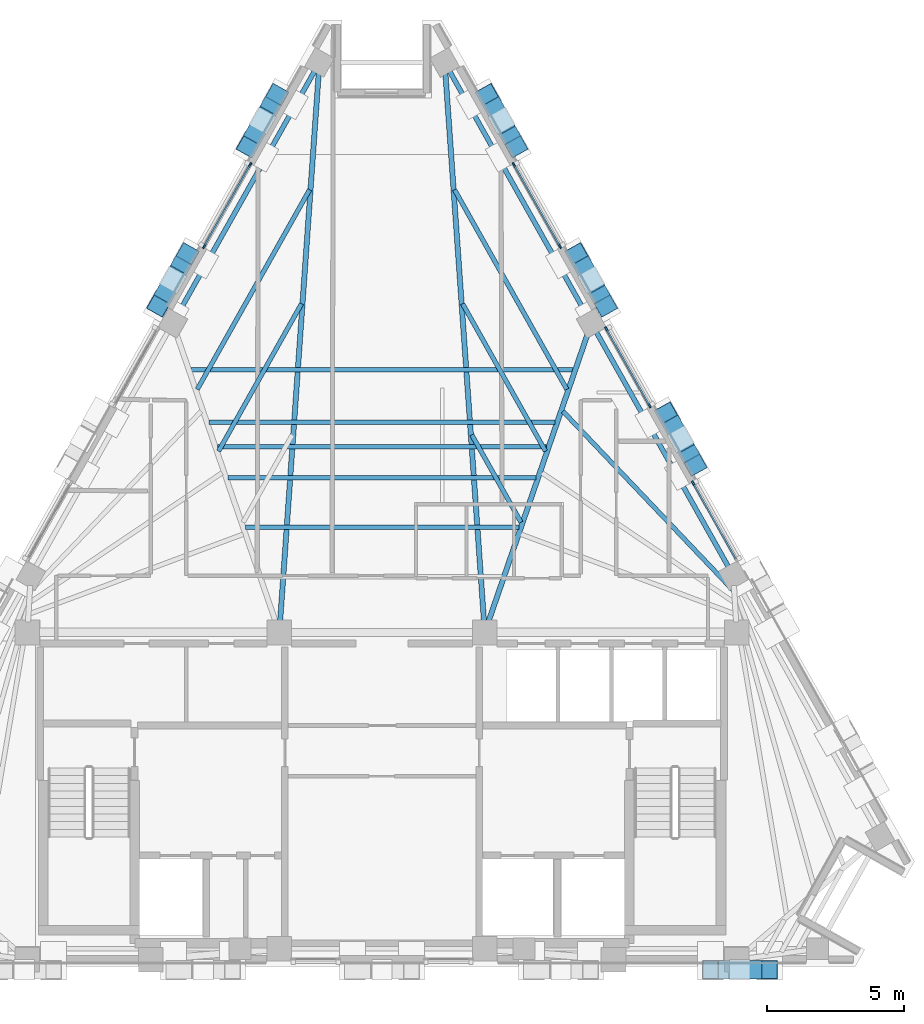
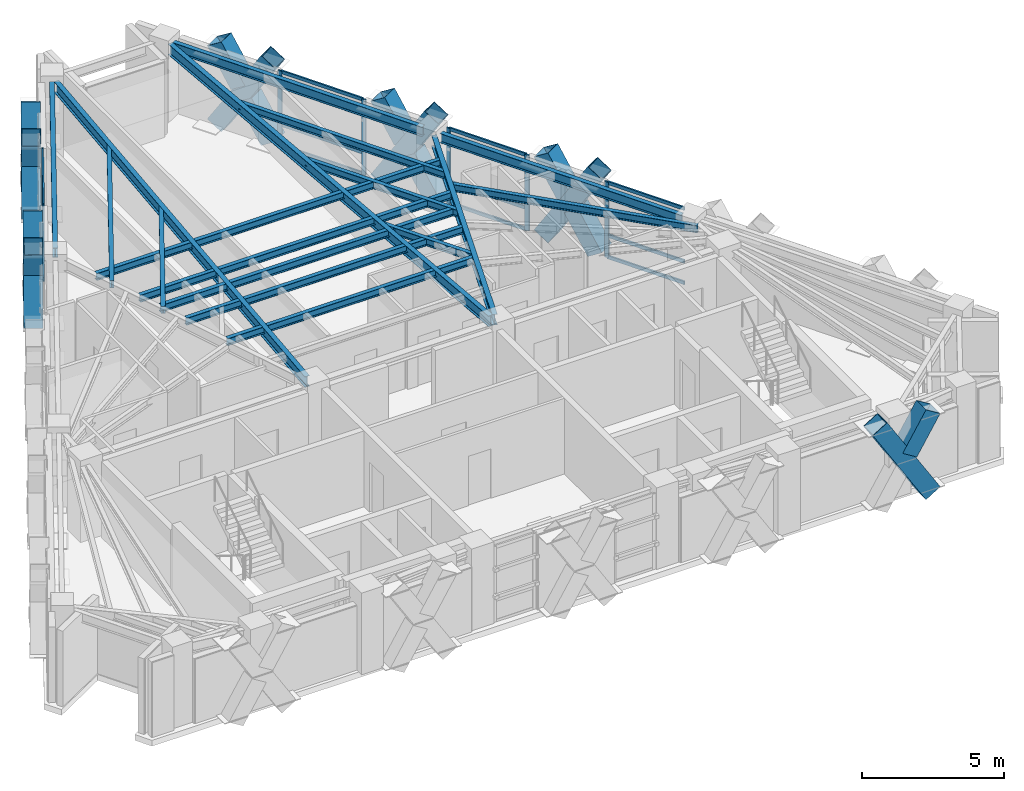
# One storey, part 4 of 10: 36 members, 17 beams, 4 elements without a shape of their own.
"""IFC4 building model written with IfcOpenShell, lengths in metres."""

from ifc_helpers import new_model, si_unit, direction, frame, origin, origin_2d, place, context, subcontext, project, spatial, rectangle, hollow_rectangle, i_section, extrude, material, material_profile, profile_set, type_object, element, aggregate, save


model = new_model("IFC4")

# Units and contexts
model_context = context("Model", 3, precision=1e-05, world=origin(), true_north=direction((0.0, 1.0)))
body_context = subcontext(model_context, "Body", "Model", "MODEL_VIEW")
ifc_project = project(units=[si_unit("LENGTHUNIT", "METRE"), si_unit("AREAUNIT", "SQUARE_METRE"), si_unit("VOLUMEUNIT", "CUBIC_METRE"), si_unit("PLANEANGLEUNIT", "RADIAN"), si_unit("MASSUNIT", "GRAM", prefix="KILO")], contexts=[model_context])

# Site, building, storey
site_placement = place(None, origin())
site = spatial("IfcSite", under=ifc_project, at=site_placement, CompositionType="ELEMENT")
building_placement = place(site_placement, origin())
building = spatial("IfcBuilding", under=site, at=building_placement, Name="Quenlor Broadcast Tower", CompositionType="ELEMENT")
storey_placement = place(building_placement, frame((0.0, 0.0, 232.39990234375)))
storey = spatial("IfcBuildingStorey", under=building, at=storey_placement, Name="L64", CompositionType="ELEMENT", Elevation=232.39990234375)

# Curtain wall, members
ifc_material_1 = material(Name="Architectural Terracotta and Low-E Glazing", Category="masonry")
curtain_wall_type = type_object("IfcCurtainWallType", Name="Unitised Terracotta Curtain Wall System Z5", PredefinedType="NOTDEFINED", material=ifc_material_1)
curtain_wall_1_placement = place(storey_placement, origin())
curtain_wall_1 = element("IfcCurtainWall", 1, at=curtain_wall_1_placement, inside=storey, type_object=curtain_wall_type, Name="L64 Curtain Wall CW5 (L64-NEA-G1)", PredefinedType="NOTDEFINED")
ifc_material_2 = material(Name="Aluminium 6063-T6", Category="aluminium")
ifc_material_profile_1 = material_profile(ifc_material_2, rectangle(XDim=0.06494140625, YDim=0.169921875, at=origin_2d()))
ifc_profile_set_1 = profile_set([ifc_material_profile_1], Name="Aluminium 6063-T6 MULL65x170")
member_type_1 = type_object("IfcMemberType", Name="CW5 Aluminium Mullion MULL_CW5", PredefinedType="MULLION", material=ifc_profile_set_1)
member_1_placement = place(storey_placement, frame((4.81787109375, 12.274169921875, 0.0), z_axis=(0.0, 0.0, 1.0), x_axis=(0.871581670563, 0.490250335582, 0.0)))
member_1 = element("IfcMember", 2, at=member_1_placement, type_object=member_type_1, Name="CW5 mullion 1", PredefinedType="MULLION", context=body_context, shape_type="SweptSolid", body=[
    extrude(rectangle(XDim=0.06494140625, YDim=0.169921875, at=origin_2d()), origin(), (0.0, 0.0, 1.0), 3.25),
])
member_2_placement = place(storey_placement, frame((6.49365234375, 9.294677734375, 0.0), z_axis=(0.0, 0.0, 1.0), x_axis=(0.871581670563, 0.490250335582, 0.0)))
member_2 = element("IfcMember", 3, at=member_2_placement, type_object=member_type_1, Name="CW5 mullion 2", PredefinedType="MULLION", context=body_context, shape_type="SweptSolid", body=[
    extrude(rectangle(XDim=0.06494140625, YDim=0.169921875, at=origin_2d()), origin(), (0.0, 0.0, 1.0), 3.25),
])

curtain_wall_2_placement = place(storey_placement, origin())
curtain_wall_2 = element("IfcCurtainWall", 4, at=curtain_wall_2_placement, inside=storey, type_object=curtain_wall_type, Name="L64 Curtain Wall CW5 (L64-NE-G1)", PredefinedType="NOTDEFINED")
member_3_placement = place(storey_placement, frame((8.190185546875, 6.27880859375, 0.0), z_axis=(0.0, 0.0, 1.0), x_axis=(0.871574721405, 0.490262689797, 0.0)))
member_3 = element("IfcMember", 5, at=member_3_placement, type_object=member_type_1, Name="CW5 mullion 1", PredefinedType="MULLION", context=body_context, shape_type="SweptSolid", body=[
    extrude(rectangle(XDim=0.06494140625, YDim=0.169921875, at=origin_2d()), origin(), (0.0, 0.0, 1.0), 3.25),
])
member_4_placement = place(storey_placement, frame((9.763427734375, 3.48193359375, 0.0), z_axis=(0.0, 0.0, 1.0), x_axis=(0.871574721405, 0.490262689797, 0.0)))
member_4 = element("IfcMember", 6, at=member_4_placement, type_object=member_type_1, Name="CW5 mullion 2", PredefinedType="MULLION", context=body_context, shape_type="SweptSolid", body=[
    extrude(rectangle(XDim=0.06494140625, YDim=0.169921875, at=origin_2d()), origin(), (0.0, 0.0, 1.0), 3.25),
])

# Curtain wall, member
curtain_wall_3_placement = place(storey_placement, origin())
curtain_wall_3 = element("IfcCurtainWall", 7, at=curtain_wall_3_placement, inside=storey, type_object=curtain_wall_type, Name="L64 Curtain Wall CW5 (L64-NE-G2)", PredefinedType="NOTDEFINED")
member_5_placement = place(storey_placement, frame((11.357177734375, 0.6484375, 0.0), z_axis=(0.0, 0.0, 1.0), x_axis=(0.871574721405, 0.490262689797, 0.0)))
member_5 = element("IfcMember", 8, at=member_5_placement, type_object=member_type_1, Name="CW5 mullion 1", PredefinedType="MULLION", context=body_context, shape_type="SweptSolid", body=[
    extrude(rectangle(XDim=0.06494140625, YDim=0.169921875, at=origin_2d()), origin(), (0.0, 0.0, 1.0), 3.25),
])

# Curtain wall, members
curtain_wall_4_placement = place(storey_placement, origin())
curtain_wall_4 = element("IfcCurtainWall", 9, at=curtain_wall_4_placement, inside=storey, type_object=curtain_wall_type, Name="L64 Curtain Wall CW5 (L64-NWC-G1)", PredefinedType="NOTDEFINED")
member_6_placement = place(storey_placement, frame((-6.49365234375, 9.294677734375, 0.0), z_axis=(0.0, 0.0, 1.0), x_axis=(-0.871581670563, 0.490250335582, 0.0)))
member_6 = element("IfcMember", 10, at=member_6_placement, type_object=member_type_1, Name="CW5 mullion 1", PredefinedType="MULLION", context=body_context, shape_type="SweptSolid", body=[
    extrude(rectangle(XDim=0.06494140625, YDim=0.169921875, at=origin_2d()), origin(), (0.0, 0.0, 1.0), 3.25),
])
member_7_placement = place(storey_placement, frame((-4.81787109375, 12.274169921875, 0.0), z_axis=(0.0, 0.0, 1.0), x_axis=(-0.871581670563, 0.490250335582, 0.0)))
member_7 = element("IfcMember", 11, at=member_7_placement, type_object=member_type_1, Name="CW5 mullion 2", PredefinedType="MULLION", context=body_context, shape_type="SweptSolid", body=[
    extrude(rectangle(XDim=0.06494140625, YDim=0.169921875, at=origin_2d()), origin(), (0.0, 0.0, 1.0), 3.25),
])

# Member
ifc_material_3 = material(Name="Aluminium 6063-T6", Category="aluminium")
ifc_material_profile_2 = material_profile(ifc_material_3, rectangle(XDim=0.06494140625, YDim=0.139892578125, at=origin_2d()))
ifc_profile_set_2 = profile_set([ifc_material_profile_2], Name="Aluminium 6063-T6 TRAN65x140")
member_type_2 = type_object("IfcMemberType", Name="CW5 Aluminium Transom TRAN_CW5", PredefinedType="USERDEFINED", material=ifc_profile_set_2)
member_8_placement = place(storey_placement, frame((4.833740234375, 12.245849609375, 0.03271484375), z_axis=(0.490247413707, -0.871583314063, 0.0), x_axis=(0.871583314063, 0.490247413707, 0.0)))
member_8 = element("IfcMember", 12, at=member_8_placement, type_object=member_type_2, Name="CW5 transom 1.1", ObjectType="TRANSOM", PredefinedType="USERDEFINED", context=body_context, shape_type="SweptSolid", body=[
    extrude(rectangle(XDim=0.06494140625, YDim=0.139892578125, at=origin_2d()), origin(), (0.0, 0.0, 1.0), 3.353515625),
])

member_9_placement = place(storey_placement, frame((4.833740234375, 12.245849609375, 0.9501953125), z_axis=(0.490247413707, -0.871583314063, 0.0), x_axis=(0.871583314063, 0.490247413707, 0.0)))
member_9 = element("IfcMember", 13, at=member_9_placement, type_object=member_type_2, Name="CW5 transom 1.2", ObjectType="TRANSOM", PredefinedType="USERDEFINED", context=body_context, shape_type="SweptSolid", body=[
    extrude(rectangle(XDim=0.06494140625, YDim=0.139892578125, at=origin_2d()), origin(), (0.0, 0.0, 1.0), 3.353515625),
])

member_10_placement = place(storey_placement, frame((4.833740234375, 12.245849609375, 3.217529296875), z_axis=(0.490247413707, -0.871583314063, 0.0), x_axis=(0.871583314063, 0.490247413707, 0.0)))
member_10 = element("IfcMember", 14, at=member_10_placement, type_object=member_type_2, Name="CW5 transom 1.3", ObjectType="TRANSOM", PredefinedType="USERDEFINED", context=body_context, shape_type="SweptSolid", body=[
    extrude(rectangle(XDim=0.06494140625, YDim=0.139892578125, at=origin_2d()), origin(), (0.0, 0.0, 1.0), 3.353515625),
])

aggregate(curtain_wall_1, [member_1, member_2, member_8, member_9, member_10])

member_11_placement = place(storey_placement, frame((8.2060546875, 6.25048828125, 0.03271484375), z_axis=(0.490231744535, -0.87159212746, 0.0), x_axis=(0.87159212746, 0.490231744535, 0.0)))
member_11 = element("IfcMember", 15, at=member_11_placement, type_object=member_type_2, Name="CW5 transom 1.1", ObjectType="TRANSOM", PredefinedType="USERDEFINED", context=body_context, shape_type="SweptSolid", body=[
    extrude(rectangle(XDim=0.06494140625, YDim=0.139892578125, at=origin_2d()), origin(), (0.0, 0.0, 1.0), 3.14404296875),
])

member_12_placement = place(storey_placement, frame((8.2060546875, 6.25048828125, 0.9501953125), z_axis=(0.490231744535, -0.87159212746, 0.0), x_axis=(0.87159212746, 0.490231744535, 0.0)))
member_12 = element("IfcMember", 16, at=member_12_placement, type_object=member_type_2, Name="CW5 transom 1.2", ObjectType="TRANSOM", PredefinedType="USERDEFINED", context=body_context, shape_type="SweptSolid", body=[
    extrude(rectangle(XDim=0.06494140625, YDim=0.139892578125, at=origin_2d()), origin(), (0.0, 0.0, 1.0), 3.14404296875),
])

member_13_placement = place(storey_placement, frame((8.2060546875, 6.25048828125, 3.217529296875), z_axis=(0.490231744535, -0.87159212746, 0.0), x_axis=(0.87159212746, 0.490231744535, 0.0)))
member_13 = element("IfcMember", 17, at=member_13_placement, type_object=member_type_2, Name="CW5 transom 1.3", ObjectType="TRANSOM", PredefinedType="USERDEFINED", context=body_context, shape_type="SweptSolid", body=[
    extrude(rectangle(XDim=0.06494140625, YDim=0.139892578125, at=origin_2d()), origin(), (0.0, 0.0, 1.0), 3.14404296875),
])

aggregate(curtain_wall_2, [member_3, member_4, member_11, member_12, member_13])

member_14_placement = place(storey_placement, frame((11.373046875, 0.6201171875, 0.03271484375), z_axis=(0.490290733046, -0.871558946422, 0.0), x_axis=(0.871558946422, 0.490290733046, 0.0)))
member_14 = element("IfcMember", 18, at=member_14_placement, type_object=member_type_2, Name="CW5 transom 1.1", ObjectType="TRANSOM", PredefinedType="USERDEFINED", context=body_context, shape_type="SweptSolid", body=[
    extrude(rectangle(XDim=0.06494140625, YDim=0.139892578125, at=origin_2d()), origin(), (0.0, 0.0, 1.0), 3.14404296875),
])

member_15_placement = place(storey_placement, frame((11.373046875, 0.6201171875, 0.9501953125), z_axis=(0.490290733046, -0.871558946422, 0.0), x_axis=(0.871558946422, 0.490290733046, 0.0)))
member_15 = element("IfcMember", 19, at=member_15_placement, type_object=member_type_2, Name="CW5 transom 1.2", ObjectType="TRANSOM", PredefinedType="USERDEFINED", context=body_context, shape_type="SweptSolid", body=[
    extrude(rectangle(XDim=0.06494140625, YDim=0.139892578125, at=origin_2d()), origin(), (0.0, 0.0, 1.0), 3.14404296875),
])

member_16_placement = place(storey_placement, frame((11.373046875, 0.6201171875, 3.217529296875), z_axis=(0.490290733046, -0.871558946422, 0.0), x_axis=(0.871558946422, 0.490290733046, 0.0)))
member_16 = element("IfcMember", 20, at=member_16_placement, type_object=member_type_2, Name="CW5 transom 1.3", ObjectType="TRANSOM", PredefinedType="USERDEFINED", context=body_context, shape_type="SweptSolid", body=[
    extrude(rectangle(XDim=0.06494140625, YDim=0.139892578125, at=origin_2d()), origin(), (0.0, 0.0, 1.0), 3.14404296875),
])

aggregate(curtain_wall_3, [member_5, member_14, member_15, member_16])

member_17_placement = place(storey_placement, frame((-6.477783203125, 9.322998046875, 0.03271484375), z_axis=(0.490247413707, 0.871583314063, 0.0), x_axis=(-0.871583314063, 0.490247413707, 0.0)))
member_17 = element("IfcMember", 21, at=member_17_placement, type_object=member_type_2, Name="CW5 transom 1.1", ObjectType="TRANSOM", PredefinedType="USERDEFINED", context=body_context, shape_type="SweptSolid", body=[
    extrude(rectangle(XDim=0.06494140625, YDim=0.139892578125, at=origin_2d()), origin(), (0.0, 0.0, 1.0), 3.353515625),
])

member_18_placement = place(storey_placement, frame((-6.477783203125, 9.322998046875, 0.9501953125), z_axis=(0.490247413707, 0.871583314063, 0.0), x_axis=(-0.871583314063, 0.490247413707, 0.0)))
member_18 = element("IfcMember", 22, at=member_18_placement, type_object=member_type_2, Name="CW5 transom 1.2", ObjectType="TRANSOM", PredefinedType="USERDEFINED", context=body_context, shape_type="SweptSolid", body=[
    extrude(rectangle(XDim=0.06494140625, YDim=0.139892578125, at=origin_2d()), origin(), (0.0, 0.0, 1.0), 3.353515625),
])

member_19_placement = place(storey_placement, frame((-6.477783203125, 9.322998046875, 3.217529296875), z_axis=(0.490247413707, 0.871583314063, 0.0), x_axis=(-0.871583314063, 0.490247413707, 0.0)))
member_19 = element("IfcMember", 23, at=member_19_placement, type_object=member_type_2, Name="CW5 transom 1.3", ObjectType="TRANSOM", PredefinedType="USERDEFINED", context=body_context, shape_type="SweptSolid", body=[
    extrude(rectangle(XDim=0.06494140625, YDim=0.139892578125, at=origin_2d()), origin(), (0.0, 0.0, 1.0), 3.353515625),
])

aggregate(curtain_wall_4, [member_6, member_7, member_17, member_18, member_19])

# Members
ifc_material_4 = material(Name="Steel S355", Category="steel")
ifc_material_profile_3 = material_profile(ifc_material_4, hollow_rectangle(XDim=0.679931640625, YDim=0.679931640625, WallThickness=0.02001953125, at=origin_2d()))
ifc_profile_set_3 = profile_set([ifc_material_profile_3], Name="Steel S355 RHS680x680x20")
member_type_3 = type_object("IfcMemberType", Name="Perimeter Diagonal Lattice Brace Z5-Crown Steel S355 RHS680x20", PredefinedType="BRACE", material=ifc_profile_set_3)
member_20_placement = place(storey_placement, frame((14.1396484375, -17.1201171875, -0.119873046875), z_axis=(-0.5236596973, 0.0, 0.851927532965), x_axis=(0.0, -1.0, 0.0)))
element("IfcMember", 24, at=member_20_placement, inside=storey, type_object=member_type_3, Name="L64 Perimeter Diamond Lattice S-C1XA", PredefinedType="BRACE", context=body_context, shape_type="SweptSolid", body=[
    extrude(hollow_rectangle(XDim=0.679931640625, YDim=0.679931640625, WallThickness=0.02001953125, at=origin_2d()), origin(), (0.0, 0.0, 1.0), 4.1083984375),
])
member_21_placement = place(storey_placement, frame((13.19482421875, -17.1201171875, 1.843017578125), z_axis=(0.523659478087, 0.0, 0.85192766771), x_axis=(0.0, 1.0, 0.0)))
element("IfcMember", 25, at=member_21_placement, inside=storey, type_object=member_type_3, Name="L64 Perimeter Diamond Lattice S-C1XB2", PredefinedType="BRACE", context=body_context, shape_type="SweptSolid", body=[
    extrude(hollow_rectangle(XDim=0.679931640625, YDim=0.679931640625, WallThickness=0.02001953125, at=origin_2d()), origin(), (0.0, 0.0, 1.0), 1.80419921875),
])
member_22_placement = place(storey_placement, frame((3.826904296875, 14.841552734375, -0.119873046875), z_axis=(0.260563732169, -0.463283497491, 0.847038926161), x_axis=(0.871602253711, 0.49021374045, 0.0)))
element("IfcMember", 26, at=member_22_placement, inside=storey, type_object=member_type_3, Name="L64 Perimeter Diamond Lattice NE-C1XA", PredefinedType="BRACE", context=body_context, shape_type="SweptSolid", body=[
    extrude(hollow_rectangle(XDim=0.679931640625, YDim=0.679931640625, WallThickness=0.02001953125, at=origin_2d()), origin(), (0.0, 0.0, 1.0), 4.132080078125),
])
member_23_placement = place(storey_placement, frame((4.903564453125, 12.92724609375, -0.119873046875), z_axis=(-0.260561174869, 0.463309498762, 0.847025491062), x_axis=(-0.871616063886, -0.490189185087, 0.0)))
element("IfcMember", 27, at=member_23_placement, inside=storey, type_object=member_type_3, Name="L64 Perimeter Diamond Lattice NE-C1XB1", PredefinedType="BRACE", context=body_context, shape_type="SweptSolid", body=[
    extrude(hollow_rectangle(XDim=0.679931640625, YDim=0.679931640625, WallThickness=0.02001953125, at=origin_2d()), origin(), (0.0, 0.0, 1.0), 1.81591796875),
])
member_24_placement = place(storey_placement, frame((4.300048828125, 14.000244140625, 1.841796875), z_axis=(-0.260531504538, 0.463256741299, 0.847063472701), x_axis=(-0.871616063886, -0.490189185087, 0.0)))
element("IfcMember", 28, at=member_24_placement, inside=storey, type_object=member_type_3, Name="L64 Perimeter Diamond Lattice NE-C1XB2", PredefinedType="BRACE", context=body_context, shape_type="SweptSolid", body=[
    extrude(hollow_rectangle(XDim=0.679931640625, YDim=0.679931640625, WallThickness=0.02001953125, at=origin_2d()), origin(), (0.0, 0.0, 1.0), 1.816162109375),
])
member_25_placement = place(storey_placement, frame((7.096435546875, 9.02880859375, -0.119873046875), z_axis=(0.260618804175, -0.463276364439, 0.847025884529), x_axis=(0.8715547569, 0.490298180422, 0.0)))
element("IfcMember", 29, at=member_25_placement, inside=storey, type_object=member_type_3, Name="L64 Perimeter Diamond Lattice NE-C2XA", PredefinedType="BRACE", context=body_context, shape_type="SweptSolid", body=[
    extrude(hollow_rectangle(XDim=0.679931640625, YDim=0.679931640625, WallThickness=0.02001953125, at=origin_2d()), origin(), (0.0, 0.0, 1.0), 4.132080078125),
])
member_26_placement = place(storey_placement, frame((8.17333984375, 7.114501953125, -0.119873046875), z_axis=(-0.26068648878, 0.463293264743, 0.846995811921), x_axis=(-0.871507987664, -0.490381308207, 0.0)))
element("IfcMember", 30, at=member_26_placement, inside=storey, type_object=member_type_3, Name="L64 Perimeter Diamond Lattice NE-C2XB1", PredefinedType="BRACE", context=body_context, shape_type="SweptSolid", body=[
    extrude(hollow_rectangle(XDim=0.679931640625, YDim=0.679931640625, WallThickness=0.02001953125, at=origin_2d()), origin(), (0.0, 0.0, 1.0), 1.81591796875),
])
member_27_placement = place(storey_placement, frame((7.56982421875, 8.1875, 1.841796875), z_axis=(-0.260656806259, 0.463240512825, 0.847033798988), x_axis=(-0.871507987664, -0.490381308207, 0.0)))
element("IfcMember", 31, at=member_27_placement, inside=storey, type_object=member_type_3, Name="L64 Perimeter Diamond Lattice NE-C2XB2", PredefinedType="BRACE", context=body_context, shape_type="SweptSolid", body=[
    extrude(hollow_rectangle(XDim=0.679931640625, YDim=0.679931640625, WallThickness=0.02001953125, at=origin_2d()), origin(), (0.0, 0.0, 1.0), 1.816162109375),
])
member_28_placement = place(storey_placement, frame((10.3662109375, 3.216064453125, -0.119873046875), z_axis=(0.260618804175, -0.463276364439, 0.847025884529), x_axis=(0.8715547569, 0.490298180422, 0.0)))
element("IfcMember", 32, at=member_28_placement, inside=storey, type_object=member_type_3, Name="L64 Perimeter Diamond Lattice NE-C3XA", PredefinedType="BRACE", context=body_context, shape_type="SweptSolid", body=[
    extrude(hollow_rectangle(XDim=0.679931640625, YDim=0.679931640625, WallThickness=0.02001953125, at=origin_2d()), origin(), (0.0, 0.0, 1.0), 4.132080078125),
])
member_29_placement = place(storey_placement, frame((11.443115234375, 1.3017578125, -0.119873046875), z_axis=(-0.26068648878, 0.463293264743, 0.846995811921), x_axis=(-0.871507987664, -0.490381308207, 0.0)))
element("IfcMember", 33, at=member_29_placement, inside=storey, type_object=member_type_3, Name="L64 Perimeter Diamond Lattice NE-C3XB1", PredefinedType="BRACE", context=body_context, shape_type="SweptSolid", body=[
    extrude(hollow_rectangle(XDim=0.679931640625, YDim=0.679931640625, WallThickness=0.02001953125, at=origin_2d()), origin(), (0.0, 0.0, 1.0), 1.81591796875),
])
member_30_placement = place(storey_placement, frame((10.839599609375, 2.374755859375, 1.841796875), z_axis=(-0.260656806259, 0.463240512825, 0.847033798988), x_axis=(-0.871507987664, -0.490381308207, 0.0)))
element("IfcMember", 34, at=member_30_placement, inside=storey, type_object=member_type_3, Name="L64 Perimeter Diamond Lattice NE-C3XB2", PredefinedType="BRACE", context=body_context, shape_type="SweptSolid", body=[
    extrude(hollow_rectangle(XDim=0.679931640625, YDim=0.679931640625, WallThickness=0.02001953125, at=origin_2d()), origin(), (0.0, 0.0, 1.0), 1.816162109375),
])
member_31_placement = place(storey_placement, frame((-8.17333984375, 7.114501953125, -0.119873046875), z_axis=(0.260618804175, 0.463276364439, 0.847025884529), x_axis=(-0.8715547569, 0.490298180422, 0.0)))
element("IfcMember", 35, at=member_31_placement, inside=storey, type_object=member_type_3, Name="L64 Perimeter Diamond Lattice NW-C4XA", PredefinedType="BRACE", context=body_context, shape_type="SweptSolid", body=[
    extrude(hollow_rectangle(XDim=0.679931640625, YDim=0.679931640625, WallThickness=0.02001953125, at=origin_2d()), origin(), (0.0, 0.0, 1.0), 4.132080078125),
])
member_32_placement = place(storey_placement, frame((-7.096435546875, 9.02880859375, -0.119873046875), z_axis=(-0.26068648878, -0.463293264743, 0.846995811921), x_axis=(0.871507987664, -0.490381308207, 0.0)))
element("IfcMember", 36, at=member_32_placement, inside=storey, type_object=member_type_3, Name="L64 Perimeter Diamond Lattice NW-C4XB1", PredefinedType="BRACE", context=body_context, shape_type="SweptSolid", body=[
    extrude(hollow_rectangle(XDim=0.679931640625, YDim=0.679931640625, WallThickness=0.02001953125, at=origin_2d()), origin(), (0.0, 0.0, 1.0), 1.81591796875),
])
member_33_placement = place(storey_placement, frame((-7.699951171875, 7.955810546875, 1.841796875), z_axis=(-0.260656806259, -0.463240512825, 0.847033798988), x_axis=(0.871507987664, -0.490381308207, 0.0)))
element("IfcMember", 37, at=member_33_placement, inside=storey, type_object=member_type_3, Name="L64 Perimeter Diamond Lattice NW-C4XB2", PredefinedType="BRACE", context=body_context, shape_type="SweptSolid", body=[
    extrude(hollow_rectangle(XDim=0.679931640625, YDim=0.679931640625, WallThickness=0.02001953125, at=origin_2d()), origin(), (0.0, 0.0, 1.0), 1.816162109375),
])
member_34_placement = place(storey_placement, frame((-4.903564453125, 12.92724609375, -0.119873046875), z_axis=(0.260563732169, 0.463283497491, 0.847038926161), x_axis=(-0.871602253711, 0.49021374045, 0.0)))
element("IfcMember", 38, at=member_34_placement, inside=storey, type_object=member_type_3, Name="L64 Perimeter Diamond Lattice NW-C5XA", PredefinedType="BRACE", context=body_context, shape_type="SweptSolid", body=[
    extrude(hollow_rectangle(XDim=0.679931640625, YDim=0.679931640625, WallThickness=0.02001953125, at=origin_2d()), origin(), (0.0, 0.0, 1.0), 4.132080078125),
])
member_35_placement = place(storey_placement, frame((-3.826904296875, 14.841552734375, -0.119873046875), z_axis=(-0.260561174869, -0.463309498762, 0.847025491062), x_axis=(0.871616063886, -0.490189185087, 0.0)))
element("IfcMember", 39, at=member_35_placement, inside=storey, type_object=member_type_3, Name="L64 Perimeter Diamond Lattice NW-C5XB1", PredefinedType="BRACE", context=body_context, shape_type="SweptSolid", body=[
    extrude(hollow_rectangle(XDim=0.679931640625, YDim=0.679931640625, WallThickness=0.02001953125, at=origin_2d()), origin(), (0.0, 0.0, 1.0), 1.81591796875),
])
member_36_placement = place(storey_placement, frame((-4.430419921875, 13.7685546875, 1.841796875), z_axis=(-0.260531504538, -0.463256741299, 0.847063472701), x_axis=(0.871616063886, -0.490189185087, 0.0)))
element("IfcMember", 40, at=member_36_placement, inside=storey, type_object=member_type_3, Name="L64 Perimeter Diamond Lattice NW-C5XB2", PredefinedType="BRACE", context=body_context, shape_type="SweptSolid", body=[
    extrude(hollow_rectangle(XDim=0.679931640625, YDim=0.679931640625, WallThickness=0.02001953125, at=origin_2d()), origin(), (0.0, 0.0, 1.0), 1.816162109375),
])

# Beams
ifc_material_5 = material(Name="Steel S355", Category="steel")
ifc_material_profile_4 = material_profile(ifc_material_5, i_section(OverallWidth=0.177978515625, OverallDepth=0.406494140625, WebThickness=0.0078125, FlangeThickness=0.0126953125, FilletRadius=0.011474609375, at=origin_2d()))
ifc_profile_set_4 = profile_set([ifc_material_profile_4], Name="Steel S355 410UB59.7")
beam_type_1 = type_object("IfcBeamType", Name="Perimeter Spandrel Beam Z5 Steel S355 410UB59.7", PredefinedType="SPANDREL", material=ifc_profile_set_4)
beam_1_placement = place(storey_placement, frame((12.64892578125, -2.412841796875, 3.046875), z_axis=(-0.49024947634, 0.871582153872, 0.0), x_axis=(-0.871582153872, -0.49024947634, 0.0)))
element("IfcBeam", 41, at=beam_1_placement, inside=storey, type_object=beam_type_1, Name="L64 Spandrel Beam NE2-NE3", PredefinedType="SPANDREL", context=body_context, shape_type="SweptSolid", body=[
    extrude(i_section(OverallWidth=0.177978515625, OverallDepth=0.406494140625, WebThickness=0.0078125, FlangeThickness=0.0126953125, FilletRadius=0.011474609375, at=origin_2d()), origin(), (0.0, 0.0, 1.0), 9.853759765625),
])
for number, where, z_axis, x_axis, name in (
    (42, (7.465087890625, 6.802978515625, 3.046875), (-0.490264646634, 0.871573620677, 0.0), (-0.871573620677, -0.490264646634, 0.0), "L64 Spandrel Beam NE3-NE4"),
    (43, (-2.461181640625, 15.69873046875, 3.046875), (-0.490264646634, -0.871573620677, 0.0), (0.871573620677, -0.490264646634, 0.0), "L64 Spandrel Beam NW1-NW2"),
):
    element("IfcBeam", number, at=place(storey_placement, frame(where, z_axis=z_axis, x_axis=x_axis)), inside=storey, type_object=beam_type_1, Name=name, PredefinedType="SPANDREL", context=body_context, shape_type="SweptSolid", body=[
        extrude(i_section(OverallWidth=0.177978515625, OverallDepth=0.406494140625, WebThickness=0.0078125, FlangeThickness=0.0126953125, FilletRadius=0.011474609375, at=origin_2d()), origin(), (0.0, 0.0, 1.0), 10.20654296875),
    ])
ifc_material_6 = material(Name="Steel S355", Category="steel")
ifc_material_profile_5 = material_profile(ifc_material_6, i_section(OverallWidth=0.166015625, OverallDepth=0.30712890625, WebThickness=0.006591796875, FlangeThickness=0.01171875, FilletRadius=0.011474609375, at=origin_2d()))
ifc_profile_set_5 = profile_set([ifc_material_profile_5], Name="Steel S355 310UB46.2")
beam_type_2 = type_object("IfcBeamType", Name="Tower Composite Joist Z4-Z5 Steel S355 310UB46.2", PredefinedType="JOIST", material=ifc_profile_set_5)
beam_2_placement = place(storey_placement, frame((-6.0048828125, 1.9736328125, 3.096435546875), z_axis=(1.0, 0.0, 0.0), x_axis=(0.0, 1.0, 0.0)))
element("IfcBeam", 44, at=beam_2_placement, inside=storey, type_object=beam_type_2, Name="L64 Secondary Composite Joist 2", PredefinedType="JOIST", context=body_context, shape_type="SweptSolid", body=[
    extrude(i_section(OverallWidth=0.166015625, OverallDepth=0.30712890625, WebThickness=0.006591796875, FlangeThickness=0.01171875, FilletRadius=0.011474609375, at=origin_2d()), origin(), (0.0, 0.0, 1.0), 12.009765625),
])
beam_3_placement = place(storey_placement, frame((-4.9931640625, -0.961669921875, 3.096435546875), z_axis=(1.0, 0.0, 0.0), x_axis=(0.0, 1.0, 0.0)))
element("IfcBeam", 45, at=beam_3_placement, inside=storey, type_object=beam_type_2, Name="L64 Secondary Composite Joist 3", PredefinedType="JOIST", context=body_context, shape_type="SweptSolid", body=[
    extrude(i_section(OverallWidth=0.166015625, OverallDepth=0.30712890625, WebThickness=0.006591796875, FlangeThickness=0.01171875, FilletRadius=0.011474609375, at=origin_2d()), origin(), (0.0, 0.0, 1.0), 9.986328125),
])
beam_4_placement = place(storey_placement, frame((-5.61572265625, 0.8447265625, 3.096435546875), z_axis=(1.0, 0.0, 0.0), x_axis=(0.0, 1.0, 0.0)))
element("IfcBeam", 46, at=beam_4_placement, inside=storey, type_object=beam_type_2, Name="L64 Secondary Composite Joist 4", PredefinedType="JOIST", context=body_context, shape_type="SweptSolid", body=[
    extrude(i_section(OverallWidth=0.166015625, OverallDepth=0.30712890625, WebThickness=0.006591796875, FlangeThickness=0.01171875, FilletRadius=0.011474609375, at=origin_2d()), origin(), (0.0, 0.0, 1.0), 11.2314453125),
])
beam_5_placement = place(storey_placement, frame((-6.316162109375, 2.876708984375, 3.096435546875), z_axis=(1.0, 0.0, 0.0), x_axis=(0.0, 1.0, 0.0)))
element("IfcBeam", 47, at=beam_5_placement, inside=storey, type_object=beam_type_2, Name="L64 Secondary Composite Joist 5", PredefinedType="JOIST", context=body_context, shape_type="SweptSolid", body=[
    extrude(i_section(OverallWidth=0.166015625, OverallDepth=0.30712890625, WebThickness=0.006591796875, FlangeThickness=0.01171875, FilletRadius=0.011474609375, at=origin_2d()), origin(), (0.0, 0.0, 1.0), 12.63232421875),
])
beam_6_placement = place(storey_placement, frame((-6.977783203125, 4.7958984375, 3.096435546875), z_axis=(1.0, 0.0, 0.0), x_axis=(0.0, 1.0, 0.0)))
element("IfcBeam", 48, at=beam_6_placement, inside=storey, type_object=beam_type_2, Name="L64 Secondary Composite Joist 6", PredefinedType="JOIST", context=body_context, shape_type="SweptSolid", body=[
    extrude(i_section(OverallWidth=0.166015625, OverallDepth=0.30712890625, WebThickness=0.006591796875, FlangeThickness=0.01171875, FilletRadius=0.011474609375, at=origin_2d()), origin(), (0.0, 0.0, 1.0), 13.95556640625),
])
beam_7_placement = place(storey_placement, frame((12.80517578125, -3.249267578125, 3.096435546875), z_axis=(-0.689023306429, 0.724739182877, 0.0), x_axis=(-0.724739182877, -0.689023306429, 0.0)))
element("IfcBeam", 49, at=beam_7_placement, inside=storey, type_object=beam_type_2, Name="L64 Secondary Composite Joist 12", PredefinedType="JOIST", context=body_context, shape_type="SweptSolid", body=[
    extrude(i_section(OverallWidth=0.166015625, OverallDepth=0.30712890625, WebThickness=0.006591796875, FlangeThickness=0.01171875, FilletRadius=0.011474609375, at=origin_2d()), origin(), (0.0, 0.0, 1.0), 8.99560546875),
])
beam_8_placement = place(storey_placement, frame((-2.939208984375, 7.201416015625, 3.096435546875), z_axis=(-0.490266868828, -0.871572370678, 0.0), x_axis=(0.871572370678, -0.490266868828, 0.0)))
element("IfcBeam", 50, at=beam_8_placement, inside=storey, type_object=beam_type_2, Name="L64 Secondary Composite Joist 26", PredefinedType="JOIST", context=body_context, shape_type="SweptSolid", body=[
    extrude(i_section(OverallWidth=0.166015625, OverallDepth=0.30712890625, WebThickness=0.006591796875, FlangeThickness=0.01171875, FilletRadius=0.011474609375, at=origin_2d()), origin(), (0.0, 0.0, 1.0), 6.177490234375),
])
beam_9_placement = place(storey_placement, frame((-2.646240234375, 11.364013671875, 3.096435546875), z_axis=(-0.490264011812, -0.871573977768, 0.0), x_axis=(0.871573977768, -0.490264011812, 0.0)))
element("IfcBeam", 51, at=beam_9_placement, inside=storey, type_object=beam_type_2, Name="L64 Secondary Composite Joist 27", PredefinedType="JOIST", context=body_context, shape_type="SweptSolid", body=[
    extrude(i_section(OverallWidth=0.166015625, OverallDepth=0.30712890625, WebThickness=0.006591796875, FlangeThickness=0.01171875, FilletRadius=0.011474609375, at=origin_2d()), origin(), (0.0, 0.0, 1.0), 8.362548828125),
])
beam_10_placement = place(storey_placement, frame((3.2763671875, 2.41455078125, 3.096435546875), z_axis=(0.490258076222, -0.871577316535, 0.0), x_axis=(0.871577316535, 0.490258076222, 0.0)))
element("IfcBeam", 52, at=beam_10_placement, inside=storey, type_object=beam_type_2, Name="L64 Secondary Composite Joist 28", PredefinedType="JOIST", context=body_context, shape_type="SweptSolid", body=[
    extrude(i_section(OverallWidth=0.166015625, OverallDepth=0.30712890625, WebThickness=0.006591796875, FlangeThickness=0.01171875, FilletRadius=0.011474609375, at=origin_2d()), origin(), (0.0, 0.0, 1.0), 3.6640625),
])
beam_11_placement = place(storey_placement, frame((2.939208984375, 7.201416015625, 3.096435546875), z_axis=(0.490266868828, -0.871572370678, 0.0), x_axis=(0.871572370678, 0.490266868828, 0.0)))
element("IfcBeam", 53, at=beam_11_placement, inside=storey, type_object=beam_type_2, Name="L64 Secondary Composite Joist 29", PredefinedType="JOIST", context=body_context, shape_type="SweptSolid", body=[
    extrude(i_section(OverallWidth=0.166015625, OverallDepth=0.30712890625, WebThickness=0.006591796875, FlangeThickness=0.01171875, FilletRadius=0.011474609375, at=origin_2d()), origin(), (0.0, 0.0, 1.0), 6.177490234375),
])
beam_12_placement = place(storey_placement, frame((2.646240234375, 11.364013671875, 3.096435546875), z_axis=(0.490264011812, -0.871573977768, 0.0), x_axis=(0.871573977768, 0.490264011812, 0.0)))
element("IfcBeam", 54, at=beam_12_placement, inside=storey, type_object=beam_type_2, Name="L64 Secondary Composite Joist 30", PredefinedType="JOIST", context=body_context, shape_type="SweptSolid", body=[
    extrude(i_section(OverallWidth=0.166015625, OverallDepth=0.30712890625, WebThickness=0.006591796875, FlangeThickness=0.01171875, FilletRadius=0.011474609375, at=origin_2d()), origin(), (0.0, 0.0, 1.0), 8.362548828125),
])
ifc_material_7 = material(Name="Steel S355", Category="steel")
ifc_material_profile_6 = material_profile(ifc_material_7, i_section(OverallWidth=0.19091796875, OverallDepth=0.46044921875, WebThickness=0.010009765625, FlangeThickness=0.01611328125, FilletRadius=0.011474609375, at=origin_2d()))
ifc_profile_set_6 = profile_set([ifc_material_profile_6], Name="Steel S355 460UB82.1")
beam_type_3 = type_object("IfcBeamType", Name="Tower Primary Floor Beam Z5 Steel S355 460UB82.1", PredefinedType="BEAM", material=ifc_profile_set_6)
beam_13_placement = place(storey_placement, frame((7.524169921875, 6.14892578125, 3.02001953125), z_axis=(-0.325895297662, -0.945405867848, 0.0), x_axis=(0.945405867848, -0.325895297662, 0.0)))
element("IfcBeam", 55, at=beam_13_placement, inside=storey, type_object=beam_type_3, Name="L64 Primary Radial Beam NE3", PredefinedType="BEAM", context=body_context, shape_type="SweptSolid", body=[
    extrude(i_section(OverallWidth=0.19091796875, OverallDepth=0.46044921875, WebThickness=0.010009765625, FlangeThickness=0.01611328125, FilletRadius=0.011474609375, at=origin_2d()), origin(), (0.0, 0.0, 1.0), 11.201171875),
])
for number, where, z_axis, x_axis, name in (
    (56, (2.31005859375, 15.6533203125, 3.02001953125), (0.070231384782, -0.997530727643, 0.0), (0.997530727643, 0.070231384782, 0.0), "L64 Primary Radial Beam NE4"),
    (57, (-2.31005859375, 15.6533203125, 3.02001953125), (-0.070231384782, -0.997530727643, 0.0), (0.997530727643, -0.070231384782, 0.0), "L64 Primary Radial Beam NW1"),
):
    element("IfcBeam", number, at=place(storey_placement, frame(where, z_axis=z_axis, x_axis=x_axis)), inside=storey, type_object=beam_type_3, Name=name, PredefinedType="BEAM", context=body_context, shape_type="SweptSolid", body=[
        extrude(i_section(OverallWidth=0.19091796875, OverallDepth=0.46044921875, WebThickness=0.010009765625, FlangeThickness=0.01611328125, FilletRadius=0.011474609375, at=origin_2d()), origin(), (0.0, 0.0, 1.0), 20.1240234375),
    ])

save(model, "model.ifc")
